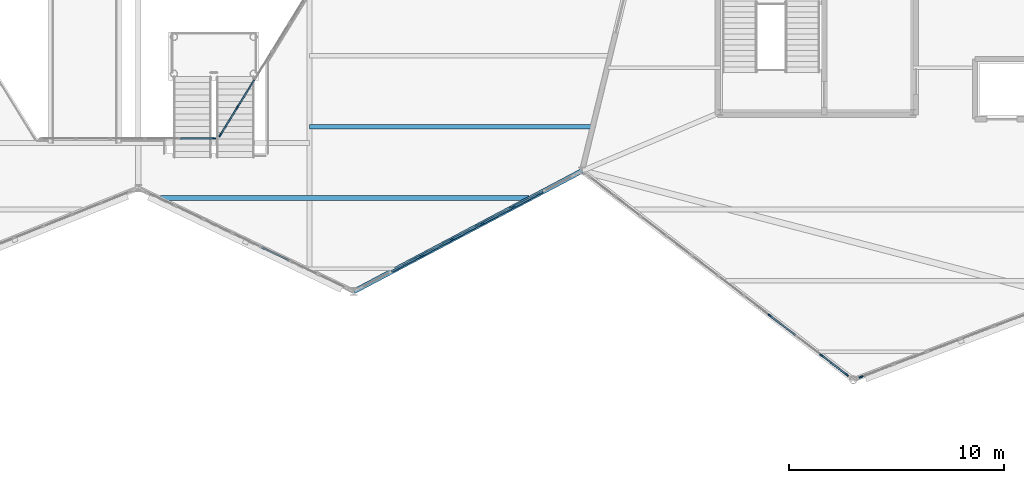
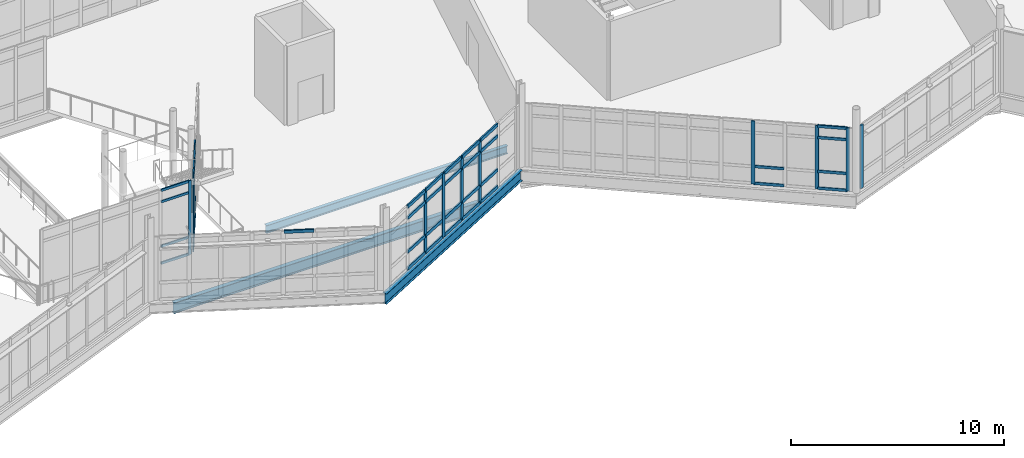
# One storey, part 31 of 114: 50 members, 3 beams, 6 elements without a shape of their own.
"""IFC4 building model written with IfcOpenShell, lengths in metres."""

from ifc_helpers import new_model, si_unit, direction, frame, origin, origin_2d, place, context, subcontext, project, spatial, rectangle, i_section, extrude, material, material_profile, profile_set, type_object, element, aggregate, save


model = new_model("IFC4")

# Units and contexts
model_context = context("Model", 3, precision=1e-05, world=origin(), true_north=direction((0.0, 1.0)))
body_context = subcontext(model_context, "Body", "Model", "MODEL_VIEW")
ifc_project = project(units=[si_unit("LENGTHUNIT", "METRE"), si_unit("AREAUNIT", "SQUARE_METRE"), si_unit("VOLUMEUNIT", "CUBIC_METRE"), si_unit("PLANEANGLEUNIT", "RADIAN"), si_unit("MASSUNIT", "GRAM", prefix="KILO")], contexts=[model_context])

# Site, building, storey
site_placement = place(None, origin())
site = spatial("IfcSite", under=ifc_project, at=site_placement, CompositionType="ELEMENT")
building_placement = place(site_placement, origin())
building = spatial("IfcBuilding", under=site, at=building_placement, Name="Tameran Prism Museum", CompositionType="ELEMENT")
storey_placement = place(building_placement, frame((0.0, 0.0, 10.199951171875)))
storey = spatial("IfcBuildingStorey", under=building, at=storey_placement, Name="L02", CompositionType="ELEMENT", Elevation=10.199951171875)

# Beams
ifc_material_1 = material(Name="Steel Grade 300PLUS (300 MPa)", Category="steel")
ifc_material_profile_1 = material_profile(ifc_material_1, i_section(OverallWidth=0.18994140625, OverallDepth=0.4541015625, WebThickness=0.008544921875, FlangeThickness=0.0126953125, FilletRadius=0.011474609375, at=origin_2d()))
ifc_profile_set_1 = profile_set([ifc_material_profile_1])
beam_type_1 = type_object("IfcBeamType", Name="BM-J460B", PredefinedType="JOIST", material=ifc_profile_set_1)
beam_1_placement = place(storey_placement, frame((85.449951171875, 30.25, -0.427001953125), z_axis=(1.0, 0.0, 0.0), x_axis=(0.0, 1.0, 0.0)))
element("IfcBeam", 1, at=beam_1_placement, inside=storey, type_object=beam_type_1, Name="Floor Beam BM-0856", PredefinedType="JOIST", context=body_context, shape_type="SweptSolid", body=[
    extrude(i_section(OverallWidth=0.18994140625, OverallDepth=0.4541015625, WebThickness=0.008544921875, FlangeThickness=0.0126953125, FilletRadius=0.011474609375, at=origin_2d()), origin(), (0.0, 0.0, 1.0), 13.10693359375),
])
ifc_material_2 = material(Name="Steel Grade 300PLUS (300 MPa)", Category="steel")
ifc_material_profile_2 = material_profile(ifc_material_2, i_section(OverallWidth=0.22802734375, OverallDepth=0.60205078125, WebThickness=0.010498046875, FlangeThickness=0.014892578125, FilletRadius=0.013916015625, at=origin_2d()))
ifc_profile_set_2 = profile_set([ifc_material_profile_2])
beam_type_2 = type_object("IfcBeamType", Name="BM-SP610", PredefinedType="SPANDREL", material=ifc_profile_set_2)
beam_2_placement = place(storey_placement, frame((87.5, 22.60009765625, -0.5009765625), z_axis=(0.884200208153, 0.46710811586, 0.0), x_axis=(-0.46710811586, 0.884200208153, 0.0)))
element("IfcBeam", 2, at=beam_2_placement, inside=storey, type_object=beam_type_2, Name="Perimeter Spandrel SP-0686", PredefinedType="SPANDREL", context=body_context, shape_type="SweptSolid", body=[
    extrude(i_section(OverallWidth=0.22802734375, OverallDepth=0.60205078125, WebThickness=0.010498046875, FlangeThickness=0.014892578125, FilletRadius=0.013916015625, at=origin_2d()), origin(), (0.0, 0.0, 1.0), 11.98828125),
])
ifc_material_3 = material(Name="Steel Grade 300PLUS (300 MPa)", Category="steel")
ifc_material_profile_3 = material_profile(ifc_material_3, i_section(OverallWidth=0.22802734375, OverallDepth=0.60693359375, WebThickness=0.01123046875, FlangeThickness=0.017333984375, FilletRadius=0.013916015625, at=origin_2d()))
ifc_profile_set_3 = profile_set([ifc_material_profile_3])
beam_type_3 = type_object("IfcBeamType", Name="BM-UB610B", PredefinedType="BEAM", material=ifc_profile_set_3)
beam_3_placement = place(storey_placement, frame((78.530029296875, 26.949951171875, -0.50341796875), z_axis=(1.0, 0.0, 0.0), x_axis=(0.0, 1.0, 0.0)))
element("IfcBeam", 3, at=beam_3_placement, inside=storey, type_object=beam_type_3, Name="Floor Beam BM-0855", PredefinedType="BEAM", context=body_context, shape_type="SweptSolid", body=[
    extrude(i_section(OverallWidth=0.22802734375, OverallDepth=0.60693359375, WebThickness=0.01123046875, FlangeThickness=0.017333984375, FilletRadius=0.013916015625, at=origin_2d()), origin(), (0.0, 0.0, 1.0), 17.117919921875),
])

# Curtain wall, member
ifc_material_4 = material(Name="Anodised Aluminium 6063-T6 and Cyclone Solar Glass", Category="aluminium")
curtain_wall_type_1 = type_object("IfcCurtainWallType", Name="CW-ATR-810x424", PredefinedType="USERDEFINED", material=ifc_material_4)
curtain_wall_1_placement = place(storey_placement, origin())
curtain_wall_1 = element("IfcCurtainWall", 4, at=curtain_wall_1_placement, inside=storey, type_object=curtain_wall_type_1, Name="Unitised Curtain Wall CW-007", ObjectType="UNITISED CURTAIN WALL", PredefinedType="USERDEFINED")
ifc_material_5 = material(Name="Anodised Aluminium Alloy 6063-T6", Category="aluminium")
ifc_material_profile_4 = material_profile(ifc_material_5, rectangle(XDim=0.06494140625, YDim=0.159912109375, at=origin_2d()))
ifc_profile_set_4 = profile_set([ifc_material_profile_4])
member_type_1 = type_object("IfcMemberType", Name="CW-MUL-A", PredefinedType="MULLION", material=ifc_profile_set_4)
member_1_placement = place(storey_placement, frame((81.017578125, 29.699951171875, 0.0), z_axis=(0.0, 0.0, 1.0), x_axis=(0.0, 1.0, 0.0)))
member_1 = element("IfcMember", 5, at=member_1_placement, type_object=member_type_1, Name="CW-007 mullion 6", PredefinedType="MULLION", context=body_context, shape_type="SweptSolid", body=[
    extrude(rectangle(XDim=0.06494140625, YDim=0.159912109375, at=origin_2d()), origin(), (0.0, 0.0, 1.0), 4.239990234375),
])

# Curtain wall, members
ifc_material_6 = material(Name="Anodised Aluminium 6063-T6 and Cyclone Solar Glass", Category="aluminium")
curtain_wall_type_2 = type_object("IfcCurtainWallType", Name="CW-ATR-769x424", PredefinedType="USERDEFINED", material=ifc_material_6)
curtain_wall_2_placement = place(storey_placement, origin())
curtain_wall_2 = element("IfcCurtainWall", 6, at=curtain_wall_2_placement, inside=storey, type_object=curtain_wall_type_2, Name="Unitised Curtain Wall CW-008", ObjectType="UNITISED CURTAIN WALL", PredefinedType="USERDEFINED")
member_2_placement = place(storey_placement, frame((81.296142578125, 29.855712890625, 0.0), z_axis=(0.0, 0.0, 1.0), x_axis=(-0.850791158897, 0.525503952357, 0.0)))
member_2 = element("IfcMember", 7, at=member_2_placement, type_object=member_type_1, Name="CW-008 mullion 1", PredefinedType="MULLION", context=body_context, shape_type="SweptSolid", body=[
    extrude(rectangle(XDim=0.06494140625, YDim=0.159912109375, at=origin_2d()), origin(), (0.0, 0.0, 1.0), 4.239990234375),
])
member_3_placement = place(storey_placement, frame((82.08740234375, 31.13671875, 0.0), z_axis=(0.0, 0.0, 1.0), x_axis=(-0.850791158897, 0.525503952357, 0.0)))
member_3 = element("IfcMember", 8, at=member_3_placement, type_object=member_type_1, Name="CW-008 mullion 2", PredefinedType="MULLION", context=body_context, shape_type="SweptSolid", body=[
    extrude(rectangle(XDim=0.06494140625, YDim=0.159912109375, at=origin_2d()), origin(), (0.0, 0.0, 1.0), 4.239990234375),
])

ifc_material_7 = material(Name="Anodised Aluminium 6063-T6 and Cyclone Solar Glass", Category="aluminium")
curtain_wall_type_3 = type_object("IfcCurtainWallType", Name="CW-FAC-1514x362", PredefinedType="USERDEFINED", material=ifc_material_7)
curtain_wall_3_placement = place(storey_placement, origin())
curtain_wall_3 = element("IfcCurtainWall", 9, at=curtain_wall_3_placement, inside=storey, type_object=curtain_wall_type_3, Name="Unitised Curtain Wall CW-116", ObjectType="UNITISED CURTAIN WALL", PredefinedType="USERDEFINED")
ifc_material_8 = material(Name="Anodised Aluminium Alloy 6063-T6", Category="aluminium")
ifc_material_profile_5 = material_profile(ifc_material_8, rectangle(XDim=0.070068359375, YDim=0.179931640625, at=origin_2d()))
ifc_profile_set_5 = profile_set([ifc_material_profile_5])
member_type_2 = type_object("IfcMemberType", Name="CW-MUL-B", PredefinedType="MULLION", material=ifc_profile_set_5)
member_4_placement = place(storey_placement, frame((110.395263671875, 18.734375, 0.0), z_axis=(0.0, 0.0, 1.0), x_axis=(-0.610001143702, -0.79240053299, 0.0)))
member_4 = element("IfcMember", 10, at=member_4_placement, type_object=member_type_2, Name="CW-116 mullion 1", PredefinedType="MULLION", context=body_context, shape_type="SweptSolid", body=[
    extrude(rectangle(XDim=0.070068359375, YDim=0.179931640625, at=origin_2d()), origin(), (0.0, 0.0, 1.0), 3.6201171875),
])
member_5_placement = place(storey_placement, frame((109.22314453125, 19.63671875, 0.0), z_axis=(0.0, 0.0, 1.0), x_axis=(-0.610001143702, -0.79240053299, 0.0)))
member_5 = element("IfcMember", 11, at=member_5_placement, type_object=member_type_2, Name="CW-116 mullion 2", PredefinedType="MULLION", context=body_context, shape_type="SweptSolid", body=[
    extrude(rectangle(XDim=0.070068359375, YDim=0.179931640625, at=origin_2d()), origin(), (0.0, 0.0, 1.0), 3.6201171875),
])
member_6_placement = place(storey_placement, frame((106.8232421875, 21.484130859375, 0.0), z_axis=(0.0, 0.0, 1.0), x_axis=(-0.610001143702, -0.79240053299, 0.0)))
member_6 = element("IfcMember", 12, at=member_6_placement, type_object=member_type_2, Name="CW-116 mullion 4", PredefinedType="MULLION", context=body_context, shape_type="SweptSolid", body=[
    extrude(rectangle(XDim=0.070068359375, YDim=0.179931640625, at=origin_2d()), origin(), (0.0, 0.0, 1.0), 3.6201171875),
])

# Curtain wall, member
ifc_material_9 = material(Name="Anodised Aluminium 6063-T6 and Cyclone Solar Glass", Category="aluminium")
curtain_wall_type_4 = type_object("IfcCurtainWallType", Name="CW-FAC-994x362", PredefinedType="USERDEFINED", material=ifc_material_9)
curtain_wall_4_placement = place(storey_placement, origin())
curtain_wall_4 = element("IfcCurtainWall", 13, at=curtain_wall_4_placement, inside=storey, type_object=curtain_wall_type_4, Name="Unitised Curtain Wall CW-117", ObjectType="UNITISED CURTAIN WALL", PredefinedType="USERDEFINED")
ifc_material_10 = material(Name="Anodised Aluminium Alloy 6063-T6", Category="aluminium")
ifc_material_profile_6 = material_profile(ifc_material_10, rectangle(XDim=0.074951171875, YDim=0.199951171875, at=origin_2d()))
ifc_profile_set_6 = profile_set([ifc_material_profile_6])
member_type_3 = type_object("IfcMemberType", Name="CW-MUL-C", PredefinedType="MULLION", material=ifc_profile_set_6)
member_7_placement = place(storey_placement, frame((111.06201171875, 18.63720703125, 0.0), z_axis=(0.0, 0.0, 1.0), x_axis=(0.355288098442, -0.934756849189, 0.0)))
member_7 = element("IfcMember", 14, at=member_7_placement, type_object=member_type_3, Name="CW-117 mullion 7", PredefinedType="MULLION", context=body_context, shape_type="SweptSolid", body=[
    extrude(rectangle(XDim=0.074951171875, YDim=0.199951171875, at=origin_2d()), origin(), (0.0, 0.0, 1.0), 3.6201171875),
])
aggregate(curtain_wall_4, [member_7])

# Curtain wall, members
ifc_material_11 = material(Name="Anodised Aluminium 6063-T6 and Cyclone Solar Glass", Category="aluminium")
curtain_wall_type_5 = type_object("IfcCurtainWallType", Name="CW-FAC-1123x362", PredefinedType="USERDEFINED", material=ifc_material_11)
curtain_wall_5_placement = place(storey_placement, origin())
curtain_wall_5 = element("IfcCurtainWall", 15, at=curtain_wall_5_placement, inside=storey, type_object=curtain_wall_type_5, Name="Unitised Curtain Wall CW-110", ObjectType="UNITISED CURTAIN WALL", PredefinedType="USERDEFINED")
ifc_material_12 = material(Name="Anodised Aluminium Alloy 6063-T6", Category="aluminium")
ifc_material_profile_7 = material_profile(ifc_material_12, rectangle(XDim=0.080078125, YDim=0.219970703125, at=origin_2d()))
ifc_profile_set_7 = profile_set([ifc_material_profile_7])
member_type_4 = type_object("IfcMemberType", Name="CW-MUL-D", PredefinedType="MULLION", material=ifc_profile_set_7)
member_8_placement = place(storey_placement, frame((94.901123046875, 26.51025390625, 0.0), z_axis=(0.0, 0.0, 1.0), x_axis=(0.467155185438, -0.884175340483, 0.0)))
member_8 = element("IfcMember", 16, at=member_8_placement, type_object=member_type_4, Name="CW-110 mullion 3", PredefinedType="MULLION", context=body_context, shape_type="SweptSolid", body=[
    extrude(rectangle(XDim=0.080078125, YDim=0.219970703125, at=origin_2d()), origin(), (0.0, 0.0, 1.0), 3.6201171875),
])
member_9_placement = place(storey_placement, frame((93.482666015625, 25.7607421875, 0.0), z_axis=(0.0, 0.0, 1.0), x_axis=(0.467155185438, -0.884175340483, 0.0)))
member_9 = element("IfcMember", 17, at=member_9_placement, type_object=member_type_4, Name="CW-110 mullion 4", PredefinedType="MULLION", context=body_context, shape_type="SweptSolid", body=[
    extrude(rectangle(XDim=0.080078125, YDim=0.219970703125, at=origin_2d()), origin(), (0.0, 0.0, 1.0), 3.6201171875),
])
member_10_placement = place(storey_placement, frame((92.064208984375, 25.01123046875, 0.0), z_axis=(0.0, 0.0, 1.0), x_axis=(0.467155185438, -0.884175340483, 0.0)))
member_10 = element("IfcMember", 18, at=member_10_placement, type_object=member_type_4, Name="CW-110 mullion 5", PredefinedType="MULLION", context=body_context, shape_type="SweptSolid", body=[
    extrude(rectangle(XDim=0.080078125, YDim=0.219970703125, at=origin_2d()), origin(), (0.0, 0.0, 1.0), 3.6201171875),
])
member_11_placement = place(storey_placement, frame((90.645751953125, 24.261962890625, 0.0), z_axis=(0.0, 0.0, 1.0), x_axis=(0.467155185438, -0.884175340483, 0.0)))
member_11 = element("IfcMember", 19, at=member_11_placement, type_object=member_type_4, Name="CW-110 mullion 6", PredefinedType="MULLION", context=body_context, shape_type="SweptSolid", body=[
    extrude(rectangle(XDim=0.080078125, YDim=0.219970703125, at=origin_2d()), origin(), (0.0, 0.0, 1.0), 3.6201171875),
])

# Member
ifc_material_13 = material(Name="Anodised Aluminium Alloy 6063-T6", Category="aluminium")
ifc_material_profile_8 = material_profile(ifc_material_13, rectangle(XDim=0.06494140625, YDim=0.139892578125, at=origin_2d()))
ifc_profile_set_8 = profile_set([ifc_material_profile_8])
member_type_5 = type_object("IfcMemberType", Name="CW-TRN-A", PredefinedType="USERDEFINED", material=ifc_profile_set_8)
member_12_placement = place(storey_placement, frame((79.46240234375, 29.699951171875, 0.032470703125), z_axis=(1.0, 0.0, 0.0), x_axis=(0.0, 1.0, 0.0)))
member_12 = element("IfcMember", 20, at=member_12_placement, type_object=member_type_5, Name="CW-007 transom 5.1", ObjectType="TRANSOM", PredefinedType="USERDEFINED", context=body_context, shape_type="SweptSolid", body=[
    extrude(rectangle(XDim=0.06494140625, YDim=0.139892578125, at=origin_2d()), origin(), (0.0, 0.0, 1.0), 1.522705078125),
])

member_13_placement = place(storey_placement, frame((79.46240234375, 29.699951171875, 1.0), z_axis=(1.0, 0.0, 0.0), x_axis=(0.0, 1.0, 0.0)))
member_13 = element("IfcMember", 21, at=member_13_placement, type_object=member_type_5, Name="CW-007 transom 5.2", ObjectType="TRANSOM", PredefinedType="USERDEFINED", context=body_context, shape_type="SweptSolid", body=[
    extrude(rectangle(XDim=0.06494140625, YDim=0.139892578125, at=origin_2d()), origin(), (0.0, 0.0, 1.0), 1.522705078125),
])

member_14_placement = place(storey_placement, frame((79.46240234375, 29.699951171875, 3.56005859375), z_axis=(1.0, 0.0, 0.0), x_axis=(0.0, 1.0, 0.0)))
member_14 = element("IfcMember", 22, at=member_14_placement, type_object=member_type_5, Name="CW-007 transom 5.3", ObjectType="TRANSOM", PredefinedType="USERDEFINED", context=body_context, shape_type="SweptSolid", body=[
    extrude(rectangle(XDim=0.06494140625, YDim=0.139892578125, at=origin_2d()), origin(), (0.0, 0.0, 1.0), 1.522705078125),
])

member_15_placement = place(storey_placement, frame((79.46240234375, 29.699951171875, 4.20751953125), z_axis=(1.0, 0.0, 0.0), x_axis=(0.0, 1.0, 0.0)))
member_15 = element("IfcMember", 23, at=member_15_placement, type_object=member_type_5, Name="CW-007 transom 5.4", ObjectType="TRANSOM", PredefinedType="USERDEFINED", context=body_context, shape_type="SweptSolid", body=[
    extrude(rectangle(XDim=0.06494140625, YDim=0.139892578125, at=origin_2d()), origin(), (0.0, 0.0, 1.0), 1.522705078125),
])

aggregate(curtain_wall_1, [member_1, member_12, member_13, member_14, member_15])

member_16_placement = place(storey_placement, frame((81.313232421875, 29.88330078125, 0.032470703125), z_axis=(0.525467627301, 0.850813594543, 0.0), x_axis=(-0.850813594543, 0.525467627301, 0.0)))
member_16 = element("IfcMember", 24, at=member_16_placement, type_object=member_type_5, Name="CW-008 transom 1.1", ObjectType="TRANSOM", PredefinedType="USERDEFINED", context=body_context, shape_type="SweptSolid", body=[
    extrude(rectangle(XDim=0.06494140625, YDim=0.139892578125, at=origin_2d()), origin(), (0.0, 0.0, 1.0), 1.440673828125),
])

member_17_placement = place(storey_placement, frame((81.313232421875, 29.88330078125, 1.0), z_axis=(0.525467627301, 0.850813594543, 0.0), x_axis=(-0.850813594543, 0.525467627301, 0.0)))
member_17 = element("IfcMember", 25, at=member_17_placement, type_object=member_type_5, Name="CW-008 transom 1.2", ObjectType="TRANSOM", PredefinedType="USERDEFINED", context=body_context, shape_type="SweptSolid", body=[
    extrude(rectangle(XDim=0.06494140625, YDim=0.139892578125, at=origin_2d()), origin(), (0.0, 0.0, 1.0), 1.440673828125),
])

member_18_placement = place(storey_placement, frame((81.313232421875, 29.88330078125, 3.56005859375), z_axis=(0.525467627301, 0.850813594543, 0.0), x_axis=(-0.850813594543, 0.525467627301, 0.0)))
member_18 = element("IfcMember", 26, at=member_18_placement, type_object=member_type_5, Name="CW-008 transom 1.3", ObjectType="TRANSOM", PredefinedType="USERDEFINED", context=body_context, shape_type="SweptSolid", body=[
    extrude(rectangle(XDim=0.06494140625, YDim=0.139892578125, at=origin_2d()), origin(), (0.0, 0.0, 1.0), 1.440673828125),
])

member_19_placement = place(storey_placement, frame((81.313232421875, 29.88330078125, 4.20751953125), z_axis=(0.525467627301, 0.850813594543, 0.0), x_axis=(-0.850813594543, 0.525467627301, 0.0)))
member_19 = element("IfcMember", 27, at=member_19_placement, type_object=member_type_5, Name="CW-008 transom 1.4", ObjectType="TRANSOM", PredefinedType="USERDEFINED", context=body_context, shape_type="SweptSolid", body=[
    extrude(rectangle(XDim=0.06494140625, YDim=0.139892578125, at=origin_2d()), origin(), (0.0, 0.0, 1.0), 1.440673828125),
])

member_20_placement = place(storey_placement, frame((82.1044921875, 31.16455078125, 0.032470703125), z_axis=(0.525492880722, 0.850797997359, 0.0), x_axis=(-0.850797997359, 0.525492880722, 0.0)))
member_20 = element("IfcMember", 28, at=member_20_placement, type_object=member_type_5, Name="CW-008 transom 2.1", ObjectType="TRANSOM", PredefinedType="USERDEFINED", context=body_context, shape_type="SweptSolid", body=[
    extrude(rectangle(XDim=0.06494140625, YDim=0.139892578125, at=origin_2d()), origin(), (0.0, 0.0, 1.0), 1.47314453125),
])

member_21_placement = place(storey_placement, frame((82.1044921875, 31.16455078125, 1.0), z_axis=(0.525492880722, 0.850797997359, 0.0), x_axis=(-0.850797997359, 0.525492880722, 0.0)))
member_21 = element("IfcMember", 29, at=member_21_placement, type_object=member_type_5, Name="CW-008 transom 2.2", ObjectType="TRANSOM", PredefinedType="USERDEFINED", context=body_context, shape_type="SweptSolid", body=[
    extrude(rectangle(XDim=0.06494140625, YDim=0.139892578125, at=origin_2d()), origin(), (0.0, 0.0, 1.0), 1.47314453125),
])

member_22_placement = place(storey_placement, frame((82.1044921875, 31.16455078125, 3.56005859375), z_axis=(0.525492880722, 0.850797997359, 0.0), x_axis=(-0.850797997359, 0.525492880722, 0.0)))
member_22 = element("IfcMember", 30, at=member_22_placement, type_object=member_type_5, Name="CW-008 transom 2.3", ObjectType="TRANSOM", PredefinedType="USERDEFINED", context=body_context, shape_type="SweptSolid", body=[
    extrude(rectangle(XDim=0.06494140625, YDim=0.139892578125, at=origin_2d()), origin(), (0.0, 0.0, 1.0), 1.47314453125),
])

member_23_placement = place(storey_placement, frame((82.1044921875, 31.16455078125, 4.20751953125), z_axis=(0.525492880722, 0.850797997359, 0.0), x_axis=(-0.850797997359, 0.525492880722, 0.0)))
member_23 = element("IfcMember", 31, at=member_23_placement, type_object=member_type_5, Name="CW-008 transom 2.4", ObjectType="TRANSOM", PredefinedType="USERDEFINED", context=body_context, shape_type="SweptSolid", body=[
    extrude(rectangle(XDim=0.06494140625, YDim=0.139892578125, at=origin_2d()), origin(), (0.0, 0.0, 1.0), 1.47314453125),
])

aggregate(curtain_wall_2, [member_2, member_3, member_16, member_17, member_18, member_19, member_20, member_21, member_22, member_23])

ifc_material_14 = material(Name="Anodised Aluminium Alloy 6063-T6", Category="aluminium")
ifc_material_profile_9 = material_profile(ifc_material_14, rectangle(XDim=0.070068359375, YDim=0.155029296875, at=origin_2d()))
ifc_profile_set_9 = profile_set([ifc_material_profile_9])
member_type_6 = type_object("IfcMemberType", Name="CW-TRN-B", PredefinedType="USERDEFINED", material=ifc_profile_set_9)
member_24_placement = place(storey_placement, frame((110.367431640625, 18.755615234375, 0.03515625), z_axis=(-0.792411412919, 0.609987010251, 0.0), x_axis=(-0.609987010251, -0.792411412919, 0.0)))
member_24 = element("IfcMember", 32, at=member_24_placement, type_object=member_type_6, Name="CW-116 transom 1.1", ObjectType="TRANSOM", PredefinedType="USERDEFINED", context=body_context, shape_type="SweptSolid", body=[
    extrude(rectangle(XDim=0.070068359375, YDim=0.155029296875, at=origin_2d()), origin(), (0.0, 0.0, 1.0), 1.4091796875),
])

member_25_placement = place(storey_placement, frame((110.367431640625, 18.755615234375, 1.0), z_axis=(-0.792411412919, 0.609987010251, 0.0), x_axis=(-0.609987010251, -0.792411412919, 0.0)))
member_25 = element("IfcMember", 33, at=member_25_placement, type_object=member_type_6, Name="CW-116 transom 1.2", ObjectType="TRANSOM", PredefinedType="USERDEFINED", context=body_context, shape_type="SweptSolid", body=[
    extrude(rectangle(XDim=0.070068359375, YDim=0.155029296875, at=origin_2d()), origin(), (0.0, 0.0, 1.0), 1.4091796875),
])

member_26_placement = place(storey_placement, frame((110.367431640625, 18.755615234375, 2.93994140625), z_axis=(-0.792411412919, 0.609987010251, 0.0), x_axis=(-0.609987010251, -0.792411412919, 0.0)))
member_26 = element("IfcMember", 34, at=member_26_placement, type_object=member_type_6, Name="CW-116 transom 1.3", ObjectType="TRANSOM", PredefinedType="USERDEFINED", context=body_context, shape_type="SweptSolid", body=[
    extrude(rectangle(XDim=0.070068359375, YDim=0.155029296875, at=origin_2d()), origin(), (0.0, 0.0, 1.0), 1.4091796875),
])

member_27_placement = place(storey_placement, frame((110.367431640625, 18.755615234375, 3.5849609375), z_axis=(-0.792411412919, 0.609987010251, 0.0), x_axis=(-0.609987010251, -0.792411412919, 0.0)))
member_27 = element("IfcMember", 35, at=member_27_placement, type_object=member_type_6, Name="CW-116 transom 1.4", ObjectType="TRANSOM", PredefinedType="USERDEFINED", context=body_context, shape_type="SweptSolid", body=[
    extrude(rectangle(XDim=0.070068359375, YDim=0.155029296875, at=origin_2d()), origin(), (0.0, 0.0, 1.0), 1.4091796875),
])

member_28_placement = place(storey_placement, frame((107.995361328125, 20.581787109375, 0.03515625), z_axis=(-0.79241025162, 0.609988518849, 0.0), x_axis=(-0.609988518849, -0.79241025162, 0.0)))
member_28 = element("IfcMember", 36, at=member_28_placement, type_object=member_type_6, Name="CW-116 transom 3.1", ObjectType="TRANSOM", PredefinedType="USERDEFINED", context=body_context, shape_type="SweptSolid", body=[
    extrude(rectangle(XDim=0.070068359375, YDim=0.155029296875, at=origin_2d()), origin(), (0.0, 0.0, 1.0), 1.444091796875),
])

member_29_placement = place(storey_placement, frame((107.995361328125, 20.581787109375, 1.0), z_axis=(-0.79241025162, 0.609988518849, 0.0), x_axis=(-0.609988518849, -0.79241025162, 0.0)))
member_29 = element("IfcMember", 37, at=member_29_placement, type_object=member_type_6, Name="CW-116 transom 3.2", ObjectType="TRANSOM", PredefinedType="USERDEFINED", context=body_context, shape_type="SweptSolid", body=[
    extrude(rectangle(XDim=0.070068359375, YDim=0.155029296875, at=origin_2d()), origin(), (0.0, 0.0, 1.0), 1.444091796875),
])

aggregate(curtain_wall_3, [member_4, member_5, member_6, member_24, member_25, member_26, member_27, member_28, member_29])

# Curtain wall, member
ifc_material_15 = material(Name="Anodised Aluminium 6063-T6 and Cyclone Solar Glass", Category="aluminium")
curtain_wall_type_6 = type_object("IfcCurtainWallType", Name="CW-FAC-1033x362", PredefinedType="USERDEFINED", material=ifc_material_15)
curtain_wall_6_placement = place(storey_placement, origin())
curtain_wall_6 = element("IfcCurtainWall", 38, at=curtain_wall_6_placement, inside=storey, type_object=curtain_wall_type_6, Name="Unitised Curtain Wall CW-109", ObjectType="UNITISED CURTAIN WALL", PredefinedType="USERDEFINED")
ifc_material_16 = material(Name="Anodised Aluminium Alloy 6063-T6", Category="aluminium")
ifc_material_profile_10 = material_profile(ifc_material_16, rectangle(XDim=0.074951171875, YDim=0.175048828125, at=origin_2d()))
ifc_profile_set_10 = profile_set([ifc_material_profile_10])
member_type_7 = type_object("IfcMemberType", Name="CW-TRN-C", PredefinedType="USERDEFINED", material=ifc_profile_set_10)
member_30_placement = place(storey_placement, frame((84.489013671875, 24.044921875, 3.58251953125), z_axis=(-0.90145778391, 0.432867027882, 0.0), x_axis=(-0.432867027882, -0.90145778391, 0.0)))
member_30 = element("IfcMember", 39, at=member_30_placement, type_object=member_type_7, Name="CW-109 transom 3.4", ObjectType="TRANSOM", PredefinedType="USERDEFINED", context=body_context, shape_type="SweptSolid", body=[
    extrude(rectangle(XDim=0.074951171875, YDim=0.175048828125, at=origin_2d()), origin(), (0.0, 0.0, 1.0), 1.40087890625),
])
aggregate(curtain_wall_6, [member_30])

# Member
ifc_material_17 = material(Name="Anodised Aluminium Alloy 6063-T6", Category="aluminium")
ifc_material_profile_11 = material_profile(ifc_material_17, rectangle(XDim=0.080078125, YDim=0.195068359375, at=origin_2d()))
ifc_profile_set_11 = profile_set([ifc_material_profile_11])
member_type_8 = type_object("IfcMemberType", Name="CW-TRN-D", PredefinedType="USERDEFINED", material=ifc_profile_set_11)
member_31_placement = place(storey_placement, frame((96.2841796875, 27.240966796875, 0.0400390625), z_axis=(-0.884142202605, -0.467217899456, 0.0), x_axis=(0.467217899456, -0.884142202605, 0.0)))
member_31 = element("IfcMember", 40, at=member_31_placement, type_object=member_type_8, Name="CW-110 transom 2.1", ObjectType="TRANSOM", PredefinedType="USERDEFINED", context=body_context, shape_type="SweptSolid", body=[
    extrude(rectangle(XDim=0.080078125, YDim=0.195068359375, at=origin_2d()), origin(), (0.0, 0.0, 1.0), 1.524169921875),
])

member_32_placement = place(storey_placement, frame((96.2841796875, 27.240966796875, 1.0), z_axis=(-0.884142202605, -0.467217899456, 0.0), x_axis=(0.467217899456, -0.884142202605, 0.0)))
member_32 = element("IfcMember", 41, at=member_32_placement, type_object=member_type_8, Name="CW-110 transom 2.2", ObjectType="TRANSOM", PredefinedType="USERDEFINED", context=body_context, shape_type="SweptSolid", body=[
    extrude(rectangle(XDim=0.080078125, YDim=0.195068359375, at=origin_2d()), origin(), (0.0, 0.0, 1.0), 1.524169921875),
])

member_33_placement = place(storey_placement, frame((96.2841796875, 27.240966796875, 2.93994140625), z_axis=(-0.884142202605, -0.467217899456, 0.0), x_axis=(0.467217899456, -0.884142202605, 0.0)))
member_33 = element("IfcMember", 42, at=member_33_placement, type_object=member_type_8, Name="CW-110 transom 2.3", ObjectType="TRANSOM", PredefinedType="USERDEFINED", context=body_context, shape_type="SweptSolid", body=[
    extrude(rectangle(XDim=0.080078125, YDim=0.195068359375, at=origin_2d()), origin(), (0.0, 0.0, 1.0), 1.524169921875),
])

member_34_placement = place(storey_placement, frame((96.2841796875, 27.240966796875, 3.580078125), z_axis=(-0.884142202605, -0.467217899456, 0.0), x_axis=(0.467217899456, -0.884142202605, 0.0)))
member_34 = element("IfcMember", 43, at=member_34_placement, type_object=member_type_8, Name="CW-110 transom 2.4", ObjectType="TRANSOM", PredefinedType="USERDEFINED", context=body_context, shape_type="SweptSolid", body=[
    extrude(rectangle(XDim=0.080078125, YDim=0.195068359375, at=origin_2d()), origin(), (0.0, 0.0, 1.0), 1.524169921875),
])

member_35_placement = place(storey_placement, frame((94.86572265625, 26.491455078125, 0.0400390625), z_axis=(-0.884142202605, -0.467217899456, 0.0), x_axis=(0.467217899456, -0.884142202605, 0.0)))
member_35 = element("IfcMember", 44, at=member_35_placement, type_object=member_type_8, Name="CW-110 transom 3.1", ObjectType="TRANSOM", PredefinedType="USERDEFINED", context=body_context, shape_type="SweptSolid", body=[
    extrude(rectangle(XDim=0.080078125, YDim=0.195068359375, at=origin_2d()), origin(), (0.0, 0.0, 1.0), 1.524169921875),
])

member_36_placement = place(storey_placement, frame((94.86572265625, 26.491455078125, 1.0), z_axis=(-0.884142202605, -0.467217899456, 0.0), x_axis=(0.467217899456, -0.884142202605, 0.0)))
member_36 = element("IfcMember", 45, at=member_36_placement, type_object=member_type_8, Name="CW-110 transom 3.2", ObjectType="TRANSOM", PredefinedType="USERDEFINED", context=body_context, shape_type="SweptSolid", body=[
    extrude(rectangle(XDim=0.080078125, YDim=0.195068359375, at=origin_2d()), origin(), (0.0, 0.0, 1.0), 1.524169921875),
])

member_37_placement = place(storey_placement, frame((94.86572265625, 26.491455078125, 2.93994140625), z_axis=(-0.884142202605, -0.467217899456, 0.0), x_axis=(0.467217899456, -0.884142202605, 0.0)))
member_37 = element("IfcMember", 46, at=member_37_placement, type_object=member_type_8, Name="CW-110 transom 3.3", ObjectType="TRANSOM", PredefinedType="USERDEFINED", context=body_context, shape_type="SweptSolid", body=[
    extrude(rectangle(XDim=0.080078125, YDim=0.195068359375, at=origin_2d()), origin(), (0.0, 0.0, 1.0), 1.524169921875),
])

member_38_placement = place(storey_placement, frame((94.86572265625, 26.491455078125, 3.580078125), z_axis=(-0.884142202605, -0.467217899456, 0.0), x_axis=(0.467217899456, -0.884142202605, 0.0)))
member_38 = element("IfcMember", 47, at=member_38_placement, type_object=member_type_8, Name="CW-110 transom 3.4", ObjectType="TRANSOM", PredefinedType="USERDEFINED", context=body_context, shape_type="SweptSolid", body=[
    extrude(rectangle(XDim=0.080078125, YDim=0.195068359375, at=origin_2d()), origin(), (0.0, 0.0, 1.0), 1.524169921875),
])

member_39_placement = place(storey_placement, frame((93.447265625, 25.741943359375, 0.0400390625), z_axis=(-0.884208363129, -0.467092678783, 0.0), x_axis=(0.467092678783, -0.884208363129, 0.0)))
member_39 = element("IfcMember", 48, at=member_39_placement, type_object=member_type_8, Name="CW-110 transom 4.1", ObjectType="TRANSOM", PredefinedType="USERDEFINED", context=body_context, shape_type="SweptSolid", body=[
    extrude(rectangle(XDim=0.080078125, YDim=0.195068359375, at=origin_2d()), origin(), (0.0, 0.0, 1.0), 1.524169921875),
])

member_40_placement = place(storey_placement, frame((93.447265625, 25.741943359375, 1.0), z_axis=(-0.884208363129, -0.467092678783, 0.0), x_axis=(0.467092678783, -0.884208363129, 0.0)))
member_40 = element("IfcMember", 49, at=member_40_placement, type_object=member_type_8, Name="CW-110 transom 4.2", ObjectType="TRANSOM", PredefinedType="USERDEFINED", context=body_context, shape_type="SweptSolid", body=[
    extrude(rectangle(XDim=0.080078125, YDim=0.195068359375, at=origin_2d()), origin(), (0.0, 0.0, 1.0), 1.524169921875),
])

member_41_placement = place(storey_placement, frame((93.447265625, 25.741943359375, 2.93994140625), z_axis=(-0.884208363129, -0.467092678783, 0.0), x_axis=(0.467092678783, -0.884208363129, 0.0)))
member_41 = element("IfcMember", 50, at=member_41_placement, type_object=member_type_8, Name="CW-110 transom 4.3", ObjectType="TRANSOM", PredefinedType="USERDEFINED", context=body_context, shape_type="SweptSolid", body=[
    extrude(rectangle(XDim=0.080078125, YDim=0.195068359375, at=origin_2d()), origin(), (0.0, 0.0, 1.0), 1.524169921875),
])

member_42_placement = place(storey_placement, frame((93.447265625, 25.741943359375, 3.580078125), z_axis=(-0.884208363129, -0.467092678783, 0.0), x_axis=(0.467092678783, -0.884208363129, 0.0)))
member_42 = element("IfcMember", 51, at=member_42_placement, type_object=member_type_8, Name="CW-110 transom 4.4", ObjectType="TRANSOM", PredefinedType="USERDEFINED", context=body_context, shape_type="SweptSolid", body=[
    extrude(rectangle(XDim=0.080078125, YDim=0.195068359375, at=origin_2d()), origin(), (0.0, 0.0, 1.0), 1.524169921875),
])

member_43_placement = place(storey_placement, frame((92.02880859375, 24.99267578125, 0.0400390625), z_axis=(-0.884142202605, -0.467217899456, 0.0), x_axis=(0.467217899456, -0.884142202605, 0.0)))
member_43 = element("IfcMember", 52, at=member_43_placement, type_object=member_type_8, Name="CW-110 transom 5.1", ObjectType="TRANSOM", PredefinedType="USERDEFINED", context=body_context, shape_type="SweptSolid", body=[
    extrude(rectangle(XDim=0.080078125, YDim=0.195068359375, at=origin_2d()), origin(), (0.0, 0.0, 1.0), 1.524169921875),
])

member_44_placement = place(storey_placement, frame((92.02880859375, 24.99267578125, 1.0), z_axis=(-0.884142202605, -0.467217899456, 0.0), x_axis=(0.467217899456, -0.884142202605, 0.0)))
member_44 = element("IfcMember", 53, at=member_44_placement, type_object=member_type_8, Name="CW-110 transom 5.2", ObjectType="TRANSOM", PredefinedType="USERDEFINED", context=body_context, shape_type="SweptSolid", body=[
    extrude(rectangle(XDim=0.080078125, YDim=0.195068359375, at=origin_2d()), origin(), (0.0, 0.0, 1.0), 1.524169921875),
])

member_45_placement = place(storey_placement, frame((92.02880859375, 24.99267578125, 2.93994140625), z_axis=(-0.884142202605, -0.467217899456, 0.0), x_axis=(0.467217899456, -0.884142202605, 0.0)))
member_45 = element("IfcMember", 54, at=member_45_placement, type_object=member_type_8, Name="CW-110 transom 5.3", ObjectType="TRANSOM", PredefinedType="USERDEFINED", context=body_context, shape_type="SweptSolid", body=[
    extrude(rectangle(XDim=0.080078125, YDim=0.195068359375, at=origin_2d()), origin(), (0.0, 0.0, 1.0), 1.524169921875),
])

member_46_placement = place(storey_placement, frame((92.02880859375, 24.99267578125, 3.580078125), z_axis=(-0.884142202605, -0.467217899456, 0.0), x_axis=(0.467217899456, -0.884142202605, 0.0)))
member_46 = element("IfcMember", 55, at=member_46_placement, type_object=member_type_8, Name="CW-110 transom 5.4", ObjectType="TRANSOM", PredefinedType="USERDEFINED", context=body_context, shape_type="SweptSolid", body=[
    extrude(rectangle(XDim=0.080078125, YDim=0.195068359375, at=origin_2d()), origin(), (0.0, 0.0, 1.0), 1.524169921875),
])

member_47_placement = place(storey_placement, frame((90.610595703125, 24.2431640625, 0.0400390625), z_axis=(-0.88417715925, -0.467151743078, 0.0), x_axis=(0.467151743078, -0.88417715925, 0.0)))
member_47 = element("IfcMember", 56, at=member_47_placement, type_object=member_type_8, Name="CW-110 transom 6.1", ObjectType="TRANSOM", PredefinedType="USERDEFINED", context=body_context, shape_type="SweptSolid", body=[
    extrude(rectangle(XDim=0.080078125, YDim=0.195068359375, at=origin_2d()), origin(), (0.0, 0.0, 1.0), 1.5244140625),
])

member_48_placement = place(storey_placement, frame((90.610595703125, 24.2431640625, 1.0), z_axis=(-0.88417715925, -0.467151743078, 0.0), x_axis=(0.467151743078, -0.88417715925, 0.0)))
member_48 = element("IfcMember", 57, at=member_48_placement, type_object=member_type_8, Name="CW-110 transom 6.2", ObjectType="TRANSOM", PredefinedType="USERDEFINED", context=body_context, shape_type="SweptSolid", body=[
    extrude(rectangle(XDim=0.080078125, YDim=0.195068359375, at=origin_2d()), origin(), (0.0, 0.0, 1.0), 1.5244140625),
])

member_49_placement = place(storey_placement, frame((90.610595703125, 24.2431640625, 2.93994140625), z_axis=(-0.88417715925, -0.467151743078, 0.0), x_axis=(0.467151743078, -0.88417715925, 0.0)))
member_49 = element("IfcMember", 58, at=member_49_placement, type_object=member_type_8, Name="CW-110 transom 6.3", ObjectType="TRANSOM", PredefinedType="USERDEFINED", context=body_context, shape_type="SweptSolid", body=[
    extrude(rectangle(XDim=0.080078125, YDim=0.195068359375, at=origin_2d()), origin(), (0.0, 0.0, 1.0), 1.5244140625),
])

member_50_placement = place(storey_placement, frame((90.610595703125, 24.2431640625, 3.580078125), z_axis=(-0.88417715925, -0.467151743078, 0.0), x_axis=(0.467151743078, -0.88417715925, 0.0)))
member_50 = element("IfcMember", 59, at=member_50_placement, type_object=member_type_8, Name="CW-110 transom 6.4", ObjectType="TRANSOM", PredefinedType="USERDEFINED", context=body_context, shape_type="SweptSolid", body=[
    extrude(rectangle(XDim=0.080078125, YDim=0.195068359375, at=origin_2d()), origin(), (0.0, 0.0, 1.0), 1.5244140625),
])

aggregate(curtain_wall_5, [member_8, member_9, member_10, member_11, member_31, member_32, member_33, member_34, member_35, member_36, member_37, member_38, member_39, member_40, member_41, member_42, member_43, member_44, member_45, member_46, member_47, member_48, member_49, member_50])

save(model, "model.ifc")
